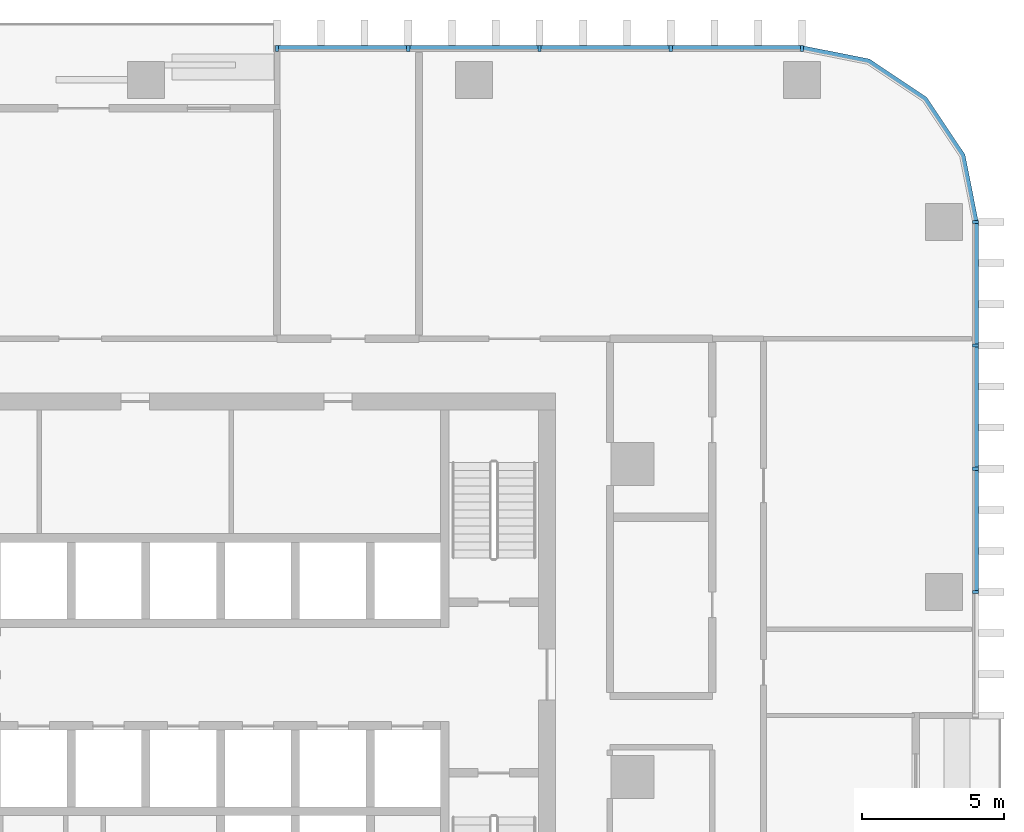
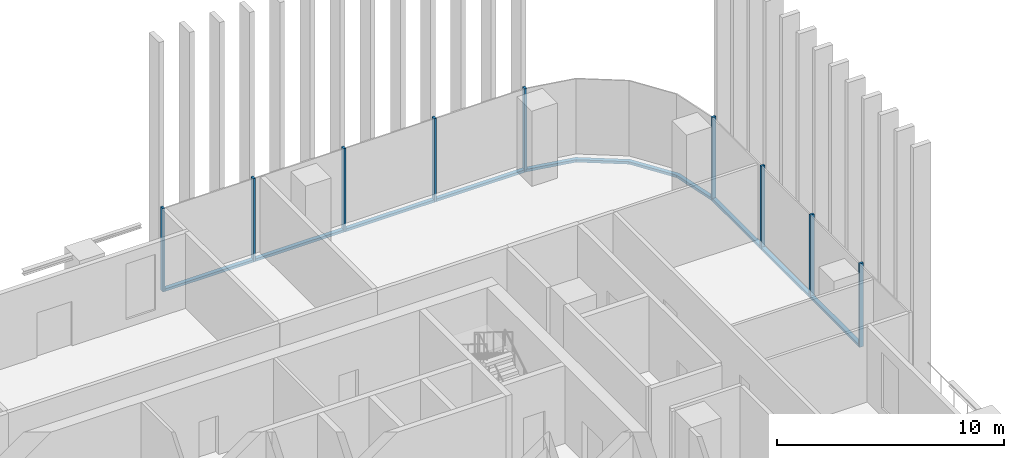
# One storey, part 5 of 17: 17 members, 3 elements without a shape of their own.
"""IFC4 building model written with IfcOpenShell, lengths in metres."""

from ifc_helpers import new_model, si_unit, direction, frame, origin, origin_2d, place, context, subcontext, project, spatial, polyline, rectangle, outline, extrude, material, material_profile, profile_set, type_object, element, aggregate, save


model = new_model("IFC4")

# Units and contexts
model_context = context("Model", 3, precision=1e-05, world=origin(), true_north=direction((0.0, 1.0)))
body_context = subcontext(model_context, "Body", "Model", "MODEL_VIEW")
ifc_project = project(units=[si_unit("LENGTHUNIT", "METRE"), si_unit("AREAUNIT", "SQUARE_METRE"), si_unit("VOLUMEUNIT", "CUBIC_METRE"), si_unit("PLANEANGLEUNIT", "RADIAN"), si_unit("MASSUNIT", "GRAM", prefix="KILO")], contexts=[model_context])

# Site, building, storey
site_placement = place(None, origin())
site = spatial("IfcSite", under=ifc_project, at=site_placement, CompositionType="ELEMENT")
building_placement = place(site_placement, origin())
building = spatial("IfcBuilding", under=site, at=building_placement, Name="Mopane Tessera Tower", CompositionType="ELEMENT")
storey_placement = place(building_placement, frame((0.0, 0.0, 135.10009765625)))
storey = spatial("IfcBuildingStorey", under=building, at=storey_placement, Name="L27", CompositionType="ELEMENT", Elevation=135.10009765625)

# Curtain wall, members
ifc_material_1 = material(Name="Aluminium frame", Category="aluminium")
curtain_wall_type = type_object("IfcCurtainWallType", Name="Lower tower unitised wall", PredefinedType="NOTDEFINED", material=ifc_material_1)
curtain_wall_1_placement = place(storey_placement, origin())
curtain_wall_1 = element("IfcCurtainWall", 1, at=curtain_wall_1_placement, inside=storey, type_object=curtain_wall_type, Name="e:cw:L27:E:5", PredefinedType="NOTDEFINED")
ifc_material_2 = material(Name="Aluminium frame", Category="aluminium")
ifc_material_profile_1 = material_profile(ifc_material_2, rectangle(XDim=0.110107421875, YDim=0.199951171875, at=origin_2d()))
ifc_profile_set_1 = profile_set([ifc_material_profile_1], Name="Aluminium frame")
member_type_1 = type_object("IfcMemberType", Name="Aluminium mullion 110 x 200", PredefinedType="MULLION", material=ifc_profile_set_1)
member_1_placement = place(storey_placement, frame((29.14990234375, 6.5, -0.4501953125), z_axis=(0.0, 0.0, 1.0), x_axis=(0.0, 1.0, 0.0)))
member_1 = element("IfcMember", 2, at=member_1_placement, type_object=member_type_1, Name="e:cw:L27:E:5:mu6", PredefinedType="MULLION", context=body_context, shape_type="SweptSolid", body=[
    extrude(rectangle(XDim=0.110107421875, YDim=0.199951171875, at=origin_2d()), origin(), (0.0, 0.0, 1.0), 4.5),
])
member_2_placement = place(storey_placement, frame((29.14990234375, 10.833251953125, -0.4501953125), z_axis=(0.0, 0.0, 1.0), x_axis=(0.0, 1.0, 0.0)))
member_2 = element("IfcMember", 3, at=member_2_placement, type_object=member_type_1, Name="e:cw:L27:E:5:mu7", PredefinedType="MULLION", context=body_context, shape_type="SweptSolid", body=[
    extrude(rectangle(XDim=0.110107421875, YDim=0.199951171875, at=origin_2d()), origin(), (0.0, 0.0, 1.0), 4.5),
])
member_3_placement = place(storey_placement, frame((29.14990234375, 15.166748046875, -0.4501953125), z_axis=(0.0, 0.0, 1.0), x_axis=(0.0, 1.0, 0.0)))
member_3 = element("IfcMember", 4, at=member_3_placement, type_object=member_type_1, Name="e:cw:L27:E:5:mu8", PredefinedType="MULLION", context=body_context, shape_type="SweptSolid", body=[
    extrude(rectangle(XDim=0.110107421875, YDim=0.199951171875, at=origin_2d()), origin(), (0.0, 0.0, 1.0), 4.5),
])
member_4_placement = place(storey_placement, frame((29.14990234375, 19.5, -0.4501953125), z_axis=(0.0, 0.0, 1.0), x_axis=(0.0, 1.0, 0.0)))
member_4 = element("IfcMember", 5, at=member_4_placement, type_object=member_type_1, Name="e:cw:L27:E:5:mu9", PredefinedType="MULLION", context=body_context, shape_type="SweptSolid", body=[
    extrude(rectangle(XDim=0.110107421875, YDim=0.199951171875, at=origin_2d()), origin(), (0.0, 0.0, 1.0), 4.5),
])

curtain_wall_2_placement = place(storey_placement, origin())
curtain_wall_2 = element("IfcCurtainWall", 6, at=curtain_wall_2_placement, inside=storey, type_object=curtain_wall_type, Name="e:cw:L27:N:0", PredefinedType="NOTDEFINED")
member_5_placement = place(storey_placement, frame((23.050048828125, 25.60009765625, -0.4501953125), z_axis=(0.0, 0.0, 1.0), x_axis=(-1.0, 0.0, 0.0)))
member_5 = element("IfcMember", 7, at=member_5_placement, type_object=member_type_1, Name="e:cw:L27:N:0:mu0", PredefinedType="MULLION", context=body_context, shape_type="SweptSolid", body=[
    extrude(rectangle(XDim=0.110107421875, YDim=0.199951171875, at=origin_2d()), origin(), (0.0, 0.0, 1.0), 4.5),
])
member_6_placement = place(storey_placement, frame((18.43994140625, 25.60009765625, -0.4501953125), z_axis=(0.0, 0.0, 1.0), x_axis=(-1.0, 0.0, 0.0)))
member_6 = element("IfcMember", 8, at=member_6_placement, type_object=member_type_1, Name="e:cw:L27:N:0:mu1", PredefinedType="MULLION", context=body_context, shape_type="SweptSolid", body=[
    extrude(rectangle(XDim=0.110107421875, YDim=0.199951171875, at=origin_2d()), origin(), (0.0, 0.0, 1.0), 4.5),
])
member_7_placement = place(storey_placement, frame((13.830078125, 25.60009765625, -0.4501953125), z_axis=(0.0, 0.0, 1.0), x_axis=(-1.0, 0.0, 0.0)))
member_7 = element("IfcMember", 9, at=member_7_placement, type_object=member_type_1, Name="e:cw:L27:N:0:mu2", PredefinedType="MULLION", context=body_context, shape_type="SweptSolid", body=[
    extrude(rectangle(XDim=0.110107421875, YDim=0.199951171875, at=origin_2d()), origin(), (0.0, 0.0, 1.0), 4.5),
])
member_8_placement = place(storey_placement, frame((9.219970703125, 25.60009765625, -0.4501953125), z_axis=(0.0, 0.0, 1.0), x_axis=(-1.0, 0.0, 0.0)))
member_8 = element("IfcMember", 10, at=member_8_placement, type_object=member_type_1, Name="e:cw:L27:N:0:mu3", PredefinedType="MULLION", context=body_context, shape_type="SweptSolid", body=[
    extrude(rectangle(XDim=0.110107421875, YDim=0.199951171875, at=origin_2d()), origin(), (0.0, 0.0, 1.0), 4.5),
])
member_9_placement = place(storey_placement, frame((4.610107421875, 25.60009765625, -0.4501953125), z_axis=(0.0, 0.0, 1.0), x_axis=(-1.0, 0.0, 0.0)))
member_9 = element("IfcMember", 11, at=member_9_placement, type_object=member_type_1, Name="e:cw:L27:N:0:mu4", PredefinedType="MULLION", context=body_context, shape_type="SweptSolid", body=[
    extrude(rectangle(XDim=0.110107421875, YDim=0.199951171875, at=origin_2d()), origin(), (0.0, 0.0, 1.0), 4.5),
])

# Member
ifc_material_3 = material(Name="Aluminium frame", Category="aluminium")
ifc_material_profile_2 = material_profile(ifc_material_3, rectangle(XDim=0.199951171875, YDim=0.139892578125, at=origin_2d()))
ifc_profile_set_2 = profile_set([ifc_material_profile_2], Name="Aluminium frame")
member_type_2 = type_object("IfcMemberType", Name="Aluminium transom 200 x 140", PredefinedType="USERDEFINED", material=ifc_profile_set_2)
member_10_placement = place(storey_placement, frame((29.14990234375, 6.554931640625, -0.380126953125), z_axis=(0.0, 1.0, 0.0), x_axis=(-1.0, 0.0, 0.0)))
member_10 = element("IfcMember", 12, at=member_10_placement, type_object=member_type_2, Name="e:cw:L27:E:5:tr6", ObjectType="TRANSOM", PredefinedType="USERDEFINED", context=body_context, shape_type="SweptSolid", body=[
    extrude(rectangle(XDim=0.199951171875, YDim=0.139892578125, at=origin_2d()), origin(), (0.0, 0.0, 1.0), 4.223388671875),
])

member_11_placement = place(storey_placement, frame((29.14990234375, 10.888427734375, -0.380126953125), z_axis=(0.0, 1.0, 0.0), x_axis=(-1.0, 0.0, 0.0)))
member_11 = element("IfcMember", 13, at=member_11_placement, type_object=member_type_2, Name="e:cw:L27:E:5:tr7", ObjectType="TRANSOM", PredefinedType="USERDEFINED", context=body_context, shape_type="SweptSolid", body=[
    extrude(rectangle(XDim=0.199951171875, YDim=0.139892578125, at=origin_2d()), origin(), (0.0, 0.0, 1.0), 4.22314453125),
])

member_12_placement = place(storey_placement, frame((29.14990234375, 15.2216796875, -0.380126953125), z_axis=(0.0, 1.0, 0.0), x_axis=(-1.0, 0.0, 0.0)))
member_12 = element("IfcMember", 14, at=member_12_placement, type_object=member_type_2, Name="e:cw:L27:E:5:tr8", ObjectType="TRANSOM", PredefinedType="USERDEFINED", context=body_context, shape_type="SweptSolid", body=[
    extrude(rectangle(XDim=0.199951171875, YDim=0.139892578125, at=origin_2d()), origin(), (0.0, 0.0, 1.0), 4.223388671875),
])

aggregate(curtain_wall_1, [member_1, member_2, member_3, member_4, member_10, member_11, member_12])

# Curtain wall, member
curtain_wall_3_placement = place(storey_placement, origin())
curtain_wall_3 = element("IfcCurtainWall", 15, at=curtain_wall_3_placement, inside=storey, type_object=curtain_wall_type, Name="e:cw:L27:CE", PredefinedType="NOTDEFINED")
member_13_placement = place(storey_placement, frame((0.0, 0.0, -0.4501953125)))
member_13 = element("IfcMember", 16, at=member_13_placement, type_object=member_type_2, Name="e:cw:L27:CE:tr", ObjectType="TRANSOM", PredefinedType="USERDEFINED", context=body_context, shape_type="SweptSolid", body=[
    extrude(outline(polyline([(29.050048828125, 19.5), (28.59326171875, 21.796142578125), (27.292724609375, 23.74267578125), (25.34619140625, 25.043212890625), (23.050048828125, 25.5), (23.050048828125, 25.699951171875), (25.422607421875, 25.22802734375), (27.43408203125, 23.884033203125), (28.778076171875, 21.87255859375), (29.25, 19.5), (29.050048828125, 19.5)])), origin(), (0.0, 0.0, 1.0), 0.14013671875),
])
aggregate(curtain_wall_3, [member_13])

# Member
member_14_placement = place(storey_placement, frame((22.9951171875, 25.60009765625, -0.380126953125), z_axis=(-1.0, 0.0, 0.0), x_axis=(0.0, -1.0, 0.0)))
member_14 = element("IfcMember", 17, at=member_14_placement, type_object=member_type_2, Name="e:cw:L27:N:0:tr0", ObjectType="TRANSOM", PredefinedType="USERDEFINED", context=body_context, shape_type="SweptSolid", body=[
    extrude(rectangle(XDim=0.199951171875, YDim=0.139892578125, at=origin_2d()), origin(), (0.0, 0.0, 1.0), 4.5),
])

member_15_placement = place(storey_placement, frame((18.385009765625, 25.60009765625, -0.380126953125), z_axis=(-1.0, 0.0, 0.0), x_axis=(0.0, -1.0, 0.0)))
member_15 = element("IfcMember", 18, at=member_15_placement, type_object=member_type_2, Name="e:cw:L27:N:0:tr1", ObjectType="TRANSOM", PredefinedType="USERDEFINED", context=body_context, shape_type="SweptSolid", body=[
    extrude(rectangle(XDim=0.199951171875, YDim=0.139892578125, at=origin_2d()), origin(), (0.0, 0.0, 1.0), 4.5),
])

member_16_placement = place(storey_placement, frame((13.77490234375, 25.60009765625, -0.380126953125), z_axis=(-1.0, 0.0, 0.0), x_axis=(0.0, -1.0, 0.0)))
member_16 = element("IfcMember", 19, at=member_16_placement, type_object=member_type_2, Name="e:cw:L27:N:0:tr2", ObjectType="TRANSOM", PredefinedType="USERDEFINED", context=body_context, shape_type="SweptSolid", body=[
    extrude(rectangle(XDim=0.199951171875, YDim=0.139892578125, at=origin_2d()), origin(), (0.0, 0.0, 1.0), 4.5),
])

member_17_placement = place(storey_placement, frame((9.1650390625, 25.60009765625, -0.380126953125), z_axis=(-1.0, 0.0, 0.0), x_axis=(0.0, -1.0, 0.0)))
member_17 = element("IfcMember", 20, at=member_17_placement, type_object=member_type_2, Name="e:cw:L27:N:0:tr3", ObjectType="TRANSOM", PredefinedType="USERDEFINED", context=body_context, shape_type="SweptSolid", body=[
    extrude(rectangle(XDim=0.199951171875, YDim=0.139892578125, at=origin_2d()), origin(), (0.0, 0.0, 1.0), 4.5),
])

aggregate(curtain_wall_2, [member_5, member_6, member_7, member_8, member_9, member_14, member_15, member_16, member_17])

save(model, "model.ifc")
